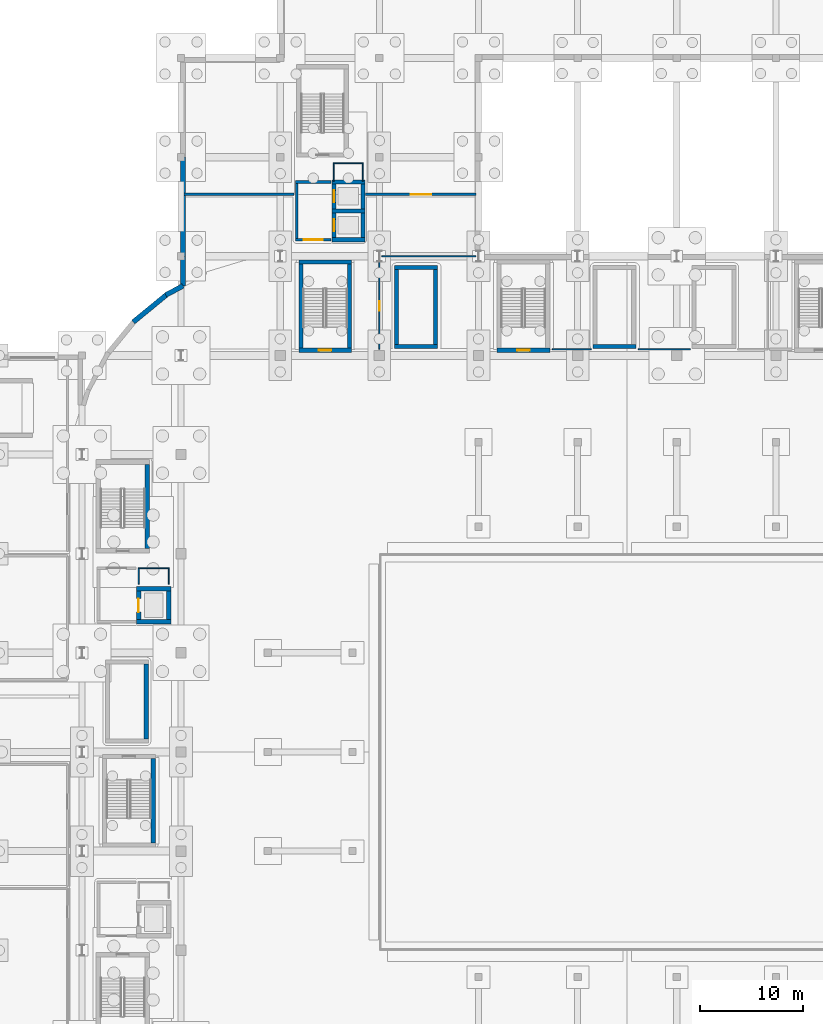
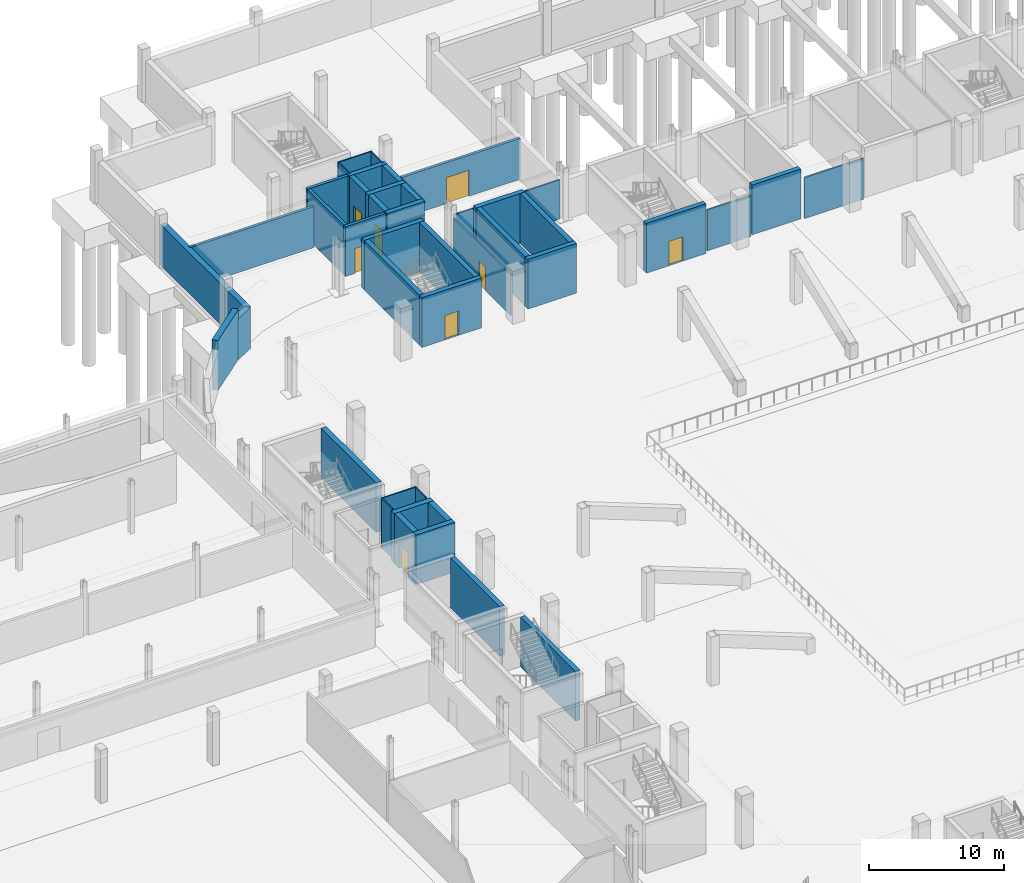
# One storey, part 30 of 67: 43 walls, 8 doors, 8 openings.
"""IFC4 building model written with IfcOpenShell, lengths in metres."""

from ifc_helpers import new_model, si_unit, direction, frame, frame_2d, origin, place, context, subcontext, project, spatial, rectangle, extrude, material, layer, layer_set, type_object, element, fill, save


model = new_model("IFC4")

# Units and contexts
model_context = context("Model", 3, precision=1e-05, world=origin(), true_north=direction((0.0, 1.0)))
body_context = subcontext(model_context, "Body", "Model", "MODEL_VIEW")
ifc_project = project(units=[si_unit("LENGTHUNIT", "METRE"), si_unit("AREAUNIT", "SQUARE_METRE"), si_unit("VOLUMEUNIT", "CUBIC_METRE"), si_unit("PLANEANGLEUNIT", "RADIAN"), si_unit("MASSUNIT", "GRAM", prefix="KILO")], contexts=[model_context])

# Site, building, storey
site_placement = place(None, origin())
site = spatial("IfcSite", under=ifc_project, at=site_placement, CompositionType="ELEMENT")
building_placement = place(site_placement, origin())
building = spatial("IfcBuilding", under=site, at=building_placement, Name="Caelomonte Colonnade Arena", CompositionType="ELEMENT")
storey_placement = place(building_placement, frame((0.0, 0.0, -4.800048828125)))
storey = spatial("IfcBuildingStorey", under=building, at=storey_placement, Name="B1", CompositionType="ELEMENT", Elevation=-4.800048828125)

# Walls
ifc_material_1 = material(Name="Concrete C40/50", Category="concrete")
ifc_layer_1 = layer(ifc_material_1, 0.47998046875)
ifc_layer_set_1 = layer_set([ifc_layer_1], Name="Concrete C40/50")
wall_type_1 = type_object("IfcWallType", Name="ENV-WL-RET48", PredefinedType="USERDEFINED", material=ifc_layer_set_1)
wall_1_placement = place(storey_placement, frame((67.3798828125, 124.800048828125, 0.0), z_axis=(0.0, 0.0, 1.0), x_axis=(0.0, -1.0, 0.0)))
element("IfcWall", 1, at=wall_1_placement, inside=storey, type_object=wall_type_1, Name="B1 exterior retaining plinth wall EW-B1-0063", ObjectType="RETAINING WALL", PredefinedType="USERDEFINED", context=body_context, shape_type="SweptSolid", body=[
    extrude(rectangle(XDim=9.60009765625, YDim=0.47998046875, at=frame_2d((4.800048828125, 0.0))), origin(), (0.0, 0.0, 1.0), 3.699951171875),
])
wall_2_placement = place(storey_placement, frame((67.3798828125, 115.199951171875, 0.0), z_axis=(0.0, 0.0, 1.0), x_axis=(0.0, -1.0, 0.0)))
element("IfcWall", 2, at=wall_2_placement, inside=storey, type_object=wall_type_1, Name="B1 exterior retaining plinth wall EW-B1-0064", ObjectType="RETAINING WALL", PredefinedType="USERDEFINED", context=body_context, shape_type="SweptSolid", body=[
    extrude(rectangle(XDim=2.875, YDim=0.47998046875, at=frame_2d((1.4375, 0.0))), origin(), (0.0, 0.0, 1.0), 3.699951171875),
])
wall_3_placement = place(storey_placement, frame((67.390625, 112.343017578125, 0.0), z_axis=(0.0, 0.0, 1.0), x_axis=(-0.881883861215, -0.47146670649, 0.0)))
element("IfcWall", 3, at=wall_3_placement, inside=storey, type_object=wall_type_1, Name="B1 exterior retaining plinth wall EW-B1-0065", ObjectType="RETAINING WALL", PredefinedType="USERDEFINED", context=body_context, shape_type="SweptSolid", body=[
    extrude(rectangle(XDim=1.903564453125, YDim=0.47998046875, at=frame_2d((0.95166015625, 0.0))), origin(), (0.0, 0.0, 1.0), 3.699951171875),
])
wall_4_placement = place(storey_placement, frame((65.93994140625, 111.597900390625, 0.0), z_axis=(0.0, 0.0, 1.0), x_axis=(-0.772995152907, -0.634411927364, 0.0)))
element("IfcWall", 4, at=wall_4_placement, inside=storey, type_object=wall_type_1, Name="B1 exterior retaining plinth wall EW-B1-0066", ObjectType="RETAINING WALL", PredefinedType="USERDEFINED", context=body_context, shape_type="SweptSolid", body=[
    extrude(rectangle(XDim=4.356689453125, YDim=0.47998046875, at=frame_2d((2.17822265625, 0.0))), origin(), (0.0, 0.0, 1.0), 4.5),
])

# Wall, opening, door
ifc_layer_2 = layer(ifc_material_1, 0.260009765625)
ifc_layer_set_2 = layer_set([ifc_layer_2], Name="Concrete C40/50")
wall_type_2 = type_object("IfcWallType", Name="INT-WL-FW26", PredefinedType="SOLIDWALL", material=ifc_layer_set_2)
wall_5_placement = place(storey_placement, frame((78.27001953125, 116.800048828125, 0.0), z_axis=(0.0, 0.0, 1.0), x_axis=(1.0, 0.0, 0.0)))
wall_5 = element("IfcWall", 5, at=wall_5_placement, inside=storey, type_object=wall_type_2, Name="FW-C7-LB B1 south enclosure wall", PredefinedType="SOLIDWALL", context=body_context, shape_type="SweptSolid", body=[
    extrude(rectangle(XDim=3.4599609375, YDim=0.260009765625, at=frame_2d((1.72998046875, 0.0))), origin(), (0.0, 0.0, 1.0), 4.5),
])
opening_1_placement = place(wall_5_placement, frame((2.655029296875, 0.0, 0.0), z_axis=(0.0, 0.0, 1.0), x_axis=(-1.0, 0.0, 0.0)))
opening_1 = element("IfcOpeningElement", 6, at=opening_1_placement, cuts=wall_5, Name="Opening FD-2", PredefinedType="OPENING", context=body_context, shape_type="SweptSolid", body=[
    extrude(rectangle(XDim=1.85009765625, YDim=2.25, at=frame_2d((0.925048828125, 1.125))), frame((0.0, 0.139892578125, 0.0), z_axis=(0.0, -1.0, 0.0), x_axis=(1.0, 0.0, 0.0)), (0.0, 0.0, 1.0), 0.280029296875),
])
ifc_material_2 = material(Name="Fire-rated double steel door", Category="steel")
door_type_1 = type_object("IfcDoorType", Name="INT-DR-FD90B", OperationType="DOUBLE_DOOR_SINGLE_SWING", PredefinedType="DOOR", material=ifc_material_2)
door_1_placement = place(opening_1_placement, origin())
door_1 = element("IfcDoor", 7, at=door_1_placement, inside=storey, type_object=door_type_1, Name="Core C7 B1 lobby fire door", OperationType="DOUBLE_DOOR_SINGLE_SWING", OverallHeight=2.25, OverallWidth=1.85009765625, PredefinedType="DOOR", context=body_context, shape_type="SweptSolid", body=[
    extrude(rectangle(XDim=1.85009765625, YDim=2.25, at=frame_2d((0.925048828125, 1.125))), frame((0.0, 0.02490234375, 0.0), z_axis=(0.0, -1.0, 0.0), x_axis=(1.0, 0.0, 0.0)), (0.0, 0.0, 1.0), 0.050048828125),
])
fill(opening_1, door_1)

# Walls
wall_6_placement = place(storey_placement, frame((81.72998046875, 122.39990234375, 0.0), z_axis=(0.0, 0.0, 1.0), x_axis=(-1.0, 0.0, 0.0)))
element("IfcWall", 8, at=wall_6_placement, inside=storey, type_object=wall_type_2, Name="FW-C7-LB B1 north enclosure wall", PredefinedType="SOLIDWALL", context=body_context, shape_type="SweptSolid", body=[
    extrude(rectangle(XDim=3.4599609375, YDim=0.260009765625, at=frame_2d((1.72998046875, 0.0))), origin(), (0.0, 0.0, 1.0), 4.5),
])
wall_7_placement = place(storey_placement, frame((78.39990234375, 122.27001953125, 0.0), z_axis=(0.0, 0.0, 1.0), x_axis=(0.0, -1.0, 0.0)))
element("IfcWall", 9, at=wall_7_placement, inside=storey, type_object=wall_type_2, Name="FW-C7-LB B1 west enclosure wall", PredefinedType="SOLIDWALL", context=body_context, shape_type="SweptSolid", body=[
    extrude(rectangle(XDim=5.340087890625, YDim=0.260009765625, at=frame_2d((2.669921875, 0.0))), origin(), (0.0, 0.0, 1.0), 4.5),
])
ifc_material_3 = material(Name="Service shaft lining partition")
ifc_layer_3 = layer(ifc_material_3, 0.10009765625)
ifc_layer_set_3 = layer_set([ifc_layer_3], Name="Service shaft lining partition")
wall_type_3 = type_object("IfcWallType", Name="INT-WL-PT10", PredefinedType="PARTITIONING", material=ifc_layer_set_3)
wall_8_placement = place(storey_placement, frame((66.050048828125, 85.0, 0.0), z_axis=(0.0, 0.0, 1.0), x_axis=(-1.0, 0.0, 0.0)))
element("IfcWall", 10, at=wall_8_placement, inside=storey, type_object=wall_type_3, Name="FW-C4-RS B1 north enclosure wall", PredefinedType="PARTITIONING", context=body_context, shape_type="SweptSolid", body=[
    extrude(rectangle(XDim=3.0, YDim=0.10009765625, at=frame_2d((1.5, 0.0))), origin(), (0.0, 0.0, 1.0), 4.5),
])
for number, where, z_axis, x_axis, name in (
    (11, (63.10009765625, 84.949951171875, 0.0), (0.0, 0.0, 1.0), (0.0, -1.0, 0.0), "FW-C4-RS B1 west enclosure wall"),
    (12, (66.0, 83.449951171875, 0.0), (0.0, 0.0, 1.0), (0.0, 1.0, 0.0), "FW-C4-RS B1 east enclosure wall"),
):
    element("IfcWall", number, at=place(storey_placement, frame(where, z_axis=z_axis, x_axis=x_axis)), inside=storey, type_object=wall_type_3, Name=name, PredefinedType="PARTITIONING", context=body_context, shape_type="SweptSolid", body=[
        extrude(rectangle(XDim=1.5, YDim=0.10009765625, at=frame_2d((0.75, 0.0))), origin(), (0.0, 0.0, 1.0), 4.5),
    ])
wall_9_placement = place(storey_placement, frame((84.85009765625, 124.199951171875, 0.0), z_axis=(0.0, 0.0, 1.0), x_axis=(-1.0, 0.0, 0.0)))
element("IfcWall", 13, at=wall_9_placement, inside=storey, type_object=wall_type_3, Name="FW-C7-RS B1 north enclosure wall", PredefinedType="PARTITIONING", context=body_context, shape_type="SweptSolid", body=[
    extrude(rectangle(XDim=2.900146484375, YDim=0.10009765625, at=frame_2d((1.4501953125, 0.0))), origin(), (0.0, 0.0, 1.0), 4.5),
])
for number, where, z_axis, x_axis, name in (
    (14, (82.0, 124.14990234375, 0.0), (0.0, 0.0, 1.0), (0.0, -1.0, 0.0), "FW-C7-RS B1 west enclosure wall"),
    (15, (84.800048828125, 122.449951171875, 0.0), (0.0, 0.0, 1.0), (0.0, 1.0, 0.0), "FW-C7-RS B1 east enclosure wall"),
):
    element("IfcWall", number, at=place(storey_placement, frame(where, z_axis=z_axis, x_axis=x_axis)), inside=storey, type_object=wall_type_3, Name=name, PredefinedType="PARTITIONING", context=body_context, shape_type="SweptSolid", body=[
        extrude(rectangle(XDim=1.699951171875, YDim=0.10009765625, at=frame_2d((0.85009765625, 0.0))), origin(), (0.0, 0.0, 1.0), 4.5),
    ])
ifc_material_4 = material(Name="Office gypsum stud partition")
ifc_layer_4 = layer(ifc_material_4, 0.1201171875)
ifc_layer_set_4 = layer_set([ifc_layer_4], Name="Office gypsum stud partition")
wall_type_4 = type_object("IfcWallType", Name="INT-WL-PT12", PredefinedType="PARTITIONING", material=ifc_layer_set_4)
wall_10_placement = place(storey_placement, frame((116.5107421875, 106.199951171875, 0.0), z_axis=(0.0, 0.0, 1.0), x_axis=(-1.0, 0.0, 0.0)))
element("IfcWall", 16, at=wall_10_placement, inside=storey, type_object=wall_type_4, Name="B1 Backstage Rigging Staging partition 15", PredefinedType="PARTITIONING", context=body_context, shape_type="SweptSolid", body=[
    extrude(rectangle(XDim=5.021484375, YDim=0.1201171875, at=frame_2d((2.5107421875, 0.0))), origin(), (0.0, 0.0, 1.0), 3.699951171875),
])
wall_11_placement = place(storey_placement, frame((106.91064453125, 106.199951171875, 0.0), z_axis=(0.0, 0.0, 1.0), x_axis=(-1.0, 0.0, 0.0)))
element("IfcWall", 17, at=wall_11_placement, inside=storey, type_object=wall_type_4, Name="B1 Backstage Rigging Staging partition 16", PredefinedType="PARTITIONING", context=body_context, shape_type="SweptSolid", body=[
    extrude(rectangle(XDim=3.7607421875, YDim=0.1201171875, at=frame_2d((1.88037109375, 0.0))), origin(), (0.0, 0.0, 1.0), 3.699951171875),
])

# Wall, opening, door
wall_12_placement = place(storey_placement, frame((86.39990234375, 106.199951171875, 0.0), z_axis=(0.0, 0.0, 1.0), x_axis=(0.0, 1.0, 0.0)))
wall_12 = element("IfcWall", 18, at=wall_12_placement, inside=storey, type_object=wall_type_4, Name="B1 Backstage Rigging Staging partition 17", PredefinedType="PARTITIONING", context=body_context, shape_type="SweptSolid", body=[
    extrude(rectangle(XDim=8.4443359375, YDim=0.1201171875, at=frame_2d((4.22216796875, 0.0))), origin(), (0.0, 0.0, 1.0), 3.699951171875),
])
opening_2_placement = place(wall_12_placement, frame((3.714599609375, 0.0, 0.0), z_axis=(0.0, 0.0, 1.0), x_axis=(1.0, 0.0, 0.0)))
opening_2 = element("IfcOpeningElement", 19, at=opening_2_placement, cuts=wall_12, Name="Opening D-B1-003", PredefinedType="OPENING", context=body_context, shape_type="SweptSolid", body=[
    extrude(rectangle(XDim=0.949951171875, YDim=2.14990234375, at=frame_2d((0.47509765625, 1.074951171875))), frame((0.0, 0.070068359375, 0.0), z_axis=(0.0, -1.0, 0.0), x_axis=(1.0, 0.0, 0.0)), (0.0, 0.0, 1.0), 0.14013671875),
])
ifc_material_5 = material(Name="Solid-core timber office door", Category="wood")
door_type_2 = type_object("IfcDoorType", Name="INT-DR-OFF", OperationType="NOTDEFINED", PredefinedType="DOOR", material=ifc_material_5)
door_2_placement = place(opening_2_placement, origin())
door_2 = element("IfcDoor", 20, at=door_2_placement, inside=storey, type_object=door_type_2, Name="B1 Backstage Rigging Staging door D-B1-003", OperationType="SINGLE_SWING_RIGHT", OverallHeight=2.14990234375, OverallWidth=0.949951171875, PredefinedType="DOOR", context=body_context, shape_type="SweptSolid", body=[
    extrude(rectangle(XDim=0.949951171875, YDim=2.14990234375, at=frame_2d((0.47509765625, 1.074951171875))), frame((0.0, 0.02490234375, 0.0), z_axis=(0.0, -1.0, 0.0), x_axis=(1.0, 0.0, 0.0)), (0.0, 0.0, 1.0), 0.050048828125),
])
fill(opening_2, door_2)

# Wall
wall_13_placement = place(storey_placement, frame((86.6484375, 115.199951171875, 0.0), z_axis=(0.0, 0.0, 1.0), x_axis=(1.0, 0.0, 0.0)))
element("IfcWall", 21, at=wall_13_placement, inside=storey, type_object=wall_type_4, Name="B1 Backstage Rigging Staging partition 18", PredefinedType="PARTITIONING", context=body_context, shape_type="SweptSolid", body=[
    extrude(rectangle(XDim=9.10302734375, YDim=0.1201171875, at=frame_2d((4.551513671875, 0.0))), origin(), (0.0, 0.0, 1.0), 3.572998046875),
])

# Wall, opening, door
ifc_material_6 = material(Name="Acoustic masonry blockwork", Category="masonry")
ifc_layer_5 = layer(ifc_material_6, 0.219970703125)
ifc_layer_set_5 = layer_set([ifc_layer_5], Name="Acoustic masonry blockwork")
wall_type_5 = type_object("IfcWallType", Name="INT-WL-PT22", PredefinedType="PARTITIONING", material=ifc_layer_set_5)
wall_14_placement = place(storey_placement, frame((95.780029296875, 121.199951171875, 0.0), z_axis=(0.0, 0.0, 1.0), x_axis=(-1.0, 0.0, 0.0)))
wall_14 = element("IfcWall", 22, at=wall_14_placement, inside=storey, type_object=wall_type_5, Name="B1 Central Commissary Kitchen partition 40", PredefinedType="PARTITIONING", context=body_context, shape_type="SweptSolid", body=[
    extrude(rectangle(XDim=10.699951171875, YDim=0.219970703125, at=frame_2d((5.35009765625, 0.0))), origin(), (0.0, 0.0, 1.0), 3.699951171875),
])
opening_3_placement = place(wall_14_placement, frame((4.375, 0.0, 0.0), z_axis=(0.0, 0.0, 1.0), x_axis=(1.0, 0.0, 0.0)))
opening_3 = element("IfcOpeningElement", 23, at=opening_3_placement, cuts=wall_14, Name="Opening D-B1-011", PredefinedType="OPENING", context=body_context, shape_type="SweptSolid", body=[
    extrude(rectangle(XDim=1.949951171875, YDim=2.35009765625, at=frame_2d((0.97509765625, 1.175048828125))), frame((0.0, 0.119873046875, 0.0), z_axis=(0.0, -1.0, 0.0), x_axis=(1.0, 0.0, 0.0)), (0.0, 0.0, 1.0), 0.239990234375),
])
ifc_material_7 = material(Name="Double hollow-metal plant room door")
door_type_3 = type_object("IfcDoorType", Name="INT-DR-PLT", OperationType="DOUBLE_DOOR_SINGLE_SWING", PredefinedType="DOOR", material=ifc_material_7)
door_3_placement = place(opening_3_placement, origin())
door_3 = element("IfcDoor", 24, at=door_3_placement, inside=storey, type_object=door_type_3, Name="B1 Central Commissary Kitchen door D-B1-011", OperationType="DOUBLE_DOOR_SINGLE_SWING", OverallHeight=2.35009765625, OverallWidth=1.949951171875, PredefinedType="DOOR", context=body_context, shape_type="SweptSolid", body=[
    extrude(rectangle(XDim=1.949951171875, YDim=2.35009765625, at=frame_2d((0.97509765625, 1.175048828125))), frame((0.0, 0.02490234375, 0.0), z_axis=(0.0, -1.0, 0.0), x_axis=(1.0, 0.0, 0.0)), (0.0, 0.0, 1.0), 0.050048828125),
])
fill(opening_3, door_3)

# Walls
wall_15_placement = place(storey_placement, frame((78.1201171875, 121.199951171875, 0.0), z_axis=(0.0, 0.0, 1.0), x_axis=(-1.0, 0.0, 0.0)))
element("IfcWall", 25, at=wall_15_placement, inside=storey, type_object=wall_type_5, Name="B1 Central Commissary Kitchen partition 41", PredefinedType="PARTITIONING", context=body_context, shape_type="SweptSolid", body=[
    extrude(rectangle(XDim=10.6201171875, YDim=0.219970703125, at=frame_2d((5.31005859375, 0.0))), origin(), (0.0, 0.0, 1.0), 3.699951171875),
])
ifc_material_8 = material(Name="Concrete C50/60", Category="concrete")
ifc_layer_6 = layer(ifc_material_8, 0.39990234375)
ifc_layer_set_6 = layer_set([ifc_layer_6], Name="Concrete C50/60")
wall_type_6 = type_object("IfcWallType", Name="INT-WL-SH40", PredefinedType="SHEAR", material=ifc_layer_set_6)
for number, where, z_axis, x_axis, name in (
    (26, (81.800048828125, 116.800048828125, 0.0), (0.0, 0.0, 1.0), (1.0, 0.0, 0.0), "CW-C7-LF B1 south enclosure wall"),
    (27, (85.0, 119.60009765625, 0.0), (0.0, 0.0, 1.0), (-1.0, 0.0, 0.0), "CW-C7-LF B1 north enclosure wall"),
):
    element("IfcWall", number, at=place(storey_placement, frame(where, z_axis=z_axis, x_axis=x_axis)), inside=storey, type_object=wall_type_6, Name=name, PredefinedType="SHEAR", context=body_context, shape_type="SweptSolid", body=[
        extrude(rectangle(XDim=3.199951171875, YDim=0.39990234375, at=frame_2d((1.60009765625, 0.0))), origin(), (0.0, 0.0, 1.0), 4.5),
    ])

# Wall, opening, door
wall_16_placement = place(storey_placement, frame((82.0, 119.39990234375, 0.0), z_axis=(0.0, 0.0, 1.0), x_axis=(0.0, -1.0, 0.0)))
wall_16 = element("IfcWall", 28, at=wall_16_placement, inside=storey, type_object=wall_type_6, Name="CW-C7-LF B1 west enclosure wall", PredefinedType="SHEAR", context=body_context, shape_type="SweptSolid", body=[
    extrude(rectangle(XDim=2.39990234375, YDim=0.39990234375, at=frame_2d((1.199951171875, 0.0))), origin(), (0.0, 0.0, 1.0), 4.5),
])
opening_4_placement = place(wall_16_placement, frame((0.625, 0.0, 0.0), z_axis=(0.0, 0.0, 1.0), x_axis=(1.0, 0.0, 0.0)))
opening_4 = element("IfcOpeningElement", 29, at=opening_4_placement, cuts=wall_16, Name="Opening LD-LF-05-B1", PredefinedType="OPENING", context=body_context, shape_type="SweptSolid", body=[
    extrude(rectangle(XDim=1.14990234375, YDim=2.199951171875, at=frame_2d((0.574951171875, 1.10009765625))), frame((0.0, 0.2099609375, 0.0), z_axis=(0.0, -1.0, 0.0), x_axis=(1.0, 0.0, 0.0)), (0.0, 0.0, 1.0), 0.419921875),
])
ifc_material_9 = material(Name="Stainless steel lift landing door", Category="steel")
door_type_4 = type_object("IfcDoorType", Name="INT-DR-LD1", OperationType="SLIDING_TO_LEFT", PredefinedType="DOOR", material=ifc_material_9)
door_4_placement = place(opening_4_placement, origin())
door_4 = element("IfcDoor", 30, at=door_4_placement, inside=storey, type_object=door_type_4, Name="Lift LF-05 B1 sliding landing door", OperationType="SLIDING_TO_LEFT", OverallHeight=2.199951171875, OverallWidth=1.14990234375, PredefinedType="DOOR", context=body_context, shape_type="SweptSolid", body=[
    extrude(rectangle(XDim=1.14990234375, YDim=2.199951171875, at=frame_2d((0.574951171875, 1.10009765625))), frame((0.0, 0.02490234375, 0.0), z_axis=(0.0, -1.0, 0.0), x_axis=(1.0, 0.0, 0.0)), (0.0, 0.0, 1.0), 0.050048828125),
])
fill(opening_4, door_4)

# Walls
wall_17_placement = place(storey_placement, frame((84.800048828125, 117.0, 0.0), z_axis=(0.0, 0.0, 1.0), x_axis=(0.0, 1.0, 0.0)))
element("IfcWall", 31, at=wall_17_placement, inside=storey, type_object=wall_type_6, Name="CW-C7-LF B1 east enclosure wall", PredefinedType="SHEAR", context=body_context, shape_type="SweptSolid", body=[
    extrude(rectangle(XDim=2.39990234375, YDim=0.39990234375, at=frame_2d((1.199951171875, 0.0))), origin(), (0.0, 0.0, 1.0), 4.5),
])
wall_18_placement = place(storey_placement, frame((85.0, 122.39990234375, 0.0), z_axis=(0.0, 0.0, 1.0), x_axis=(-1.0, 0.0, 0.0)))
element("IfcWall", 32, at=wall_18_placement, inside=storey, type_object=wall_type_6, Name="CW-C7-LF2 B1 north enclosure wall", PredefinedType="SHEAR", context=body_context, shape_type="SweptSolid", body=[
    extrude(rectangle(XDim=3.199951171875, YDim=0.39990234375, at=frame_2d((1.60009765625, 0.0))), origin(), (0.0, 0.0, 1.0), 4.5),
])

# Wall, opening, door
wall_19_placement = place(storey_placement, frame((82.0, 122.199951171875, 0.0), z_axis=(0.0, 0.0, 1.0), x_axis=(0.0, -1.0, 0.0)))
wall_19 = element("IfcWall", 33, at=wall_19_placement, inside=storey, type_object=wall_type_6, Name="CW-C7-LF2 B1 west enclosure wall", PredefinedType="SHEAR", context=body_context, shape_type="SweptSolid", body=[
    extrude(rectangle(XDim=2.39990234375, YDim=0.39990234375, at=frame_2d((1.199951171875, 0.0))), origin(), (0.0, 0.0, 1.0), 4.5),
])
opening_5_placement = place(wall_19_placement, frame((0.625, 0.0, 0.0), z_axis=(0.0, 0.0, 1.0), x_axis=(1.0, 0.0, 0.0)))
opening_5 = element("IfcOpeningElement", 34, at=opening_5_placement, cuts=wall_19, Name="Opening LD-LF-06-B1", PredefinedType="OPENING", context=body_context, shape_type="SweptSolid", body=[
    extrude(rectangle(XDim=1.14990234375, YDim=2.199951171875, at=frame_2d((0.574951171875, 1.10009765625))), frame((0.0, 0.2099609375, 0.0), z_axis=(0.0, -1.0, 0.0), x_axis=(1.0, 0.0, 0.0)), (0.0, 0.0, 1.0), 0.419921875),
])
door_5_placement = place(opening_5_placement, origin())
door_5 = element("IfcDoor", 35, at=door_5_placement, inside=storey, type_object=door_type_4, Name="Lift LF-06 B1 sliding landing door", OperationType="SLIDING_TO_LEFT", OverallHeight=2.199951171875, OverallWidth=1.14990234375, PredefinedType="DOOR", context=body_context, shape_type="SweptSolid", body=[
    extrude(rectangle(XDim=1.14990234375, YDim=2.199951171875, at=frame_2d((0.574951171875, 1.10009765625))), frame((0.0, 0.02490234375, 0.0), z_axis=(0.0, -1.0, 0.0), x_axis=(1.0, 0.0, 0.0)), (0.0, 0.0, 1.0), 0.050048828125),
])
fill(opening_5, door_5)

# Walls
wall_20_placement = place(storey_placement, frame((84.800048828125, 119.800048828125, 0.0), z_axis=(0.0, 0.0, 1.0), x_axis=(0.0, 1.0, 0.0)))
element("IfcWall", 36, at=wall_20_placement, inside=storey, type_object=wall_type_6, Name="CW-C7-LF2 B1 east enclosure wall", PredefinedType="SHEAR", context=body_context, shape_type="SweptSolid", body=[
    extrude(rectangle(XDim=2.39990234375, YDim=0.39990234375, at=frame_2d((1.199951171875, 0.0))), origin(), (0.0, 0.0, 1.0), 4.5),
])
wall_21_placement = place(storey_placement, frame((64.5, 58.39990234375, 0.0), z_axis=(0.0, 0.0, 1.0), x_axis=(0.0, 1.0, 0.0)))
element("IfcWall", 37, at=wall_21_placement, inside=storey, type_object=wall_type_6, Name="CW-ST-09 B1 east enclosure wall", PredefinedType="SHEAR", context=body_context, shape_type="SweptSolid", body=[
    extrude(rectangle(XDim=8.150146484375, YDim=0.39990234375, at=frame_2d((4.0751953125, 0.0))), origin(), (0.0, 0.0, 1.0), 4.5),
])

# Wall, opening, door
wall_22_placement = place(storey_placement, frame((78.60009765625, 106.10009765625, 0.0), z_axis=(0.0, 0.0, 1.0), x_axis=(1.0, 0.0, 0.0)))
wall_22 = element("IfcWall", 38, at=wall_22_placement, inside=storey, type_object=wall_type_6, Name="CW-ST-14 B1 south enclosure wall", PredefinedType="SHEAR", context=body_context, shape_type="SweptSolid", body=[
    extrude(rectangle(XDim=5.099853515625, YDim=0.39990234375, at=frame_2d((2.5498046875, 0.0))), origin(), (0.0, 0.0, 1.0), 4.5),
])
opening_6_placement = place(wall_22_placement, frame((3.14990234375, 0.0, 0.0), z_axis=(0.0, 0.0, 1.0), x_axis=(-1.0, 0.0, 0.0)))
opening_6 = element("IfcOpeningElement", 39, at=opening_6_placement, cuts=wall_22, Name="Opening FD-1", PredefinedType="OPENING", context=body_context, shape_type="SweptSolid", body=[
    extrude(rectangle(XDim=1.199951171875, YDim=2.199951171875, at=frame_2d((0.60009765625, 1.10009765625))), frame((0.0, 0.2099609375, 0.0), z_axis=(0.0, -1.0, 0.0), x_axis=(1.0, 0.0, 0.0)), (0.0, 0.0, 1.0), 0.419921875),
])
ifc_material_10 = material(Name="Fire-rated steel door", Category="steel")
door_type_5 = type_object("IfcDoorType", Name="INT-DR-FD90A", OperationType="NOTDEFINED", PredefinedType="DOOR", material=ifc_material_10)
door_6_placement = place(opening_6_placement, origin())
door_6 = element("IfcDoor", 40, at=door_6_placement, inside=storey, type_object=door_type_5, Name="Protected exit stair ST-14 B1 fire door", OperationType="SINGLE_SWING_LEFT", OverallHeight=2.199951171875, OverallWidth=1.199951171875, PredefinedType="DOOR", context=body_context, shape_type="SweptSolid", body=[
    extrude(rectangle(XDim=1.199951171875, YDim=2.199951171875, at=frame_2d((0.60009765625, 1.10009765625))), frame((0.0, 0.02490234375, 0.0), z_axis=(0.0, -1.0, 0.0), x_axis=(1.0, 0.0, 0.0)), (0.0, 0.0, 1.0), 0.050048828125),
])
fill(opening_6, door_6)

# Walls
wall_23_placement = place(storey_placement, frame((83.699951171875, 114.64990234375, 0.0), z_axis=(0.0, 0.0, 1.0), x_axis=(-1.0, 0.0, 0.0)))
element("IfcWall", 41, at=wall_23_placement, inside=storey, type_object=wall_type_6, Name="CW-ST-14 B1 north enclosure wall", PredefinedType="SHEAR", context=body_context, shape_type="SweptSolid", body=[
    extrude(rectangle(XDim=5.099853515625, YDim=0.39990234375, at=frame_2d((2.5498046875, 0.0))), origin(), (0.0, 0.0, 1.0), 4.5),
])
for number, where, z_axis, x_axis, name in (
    (42, (78.800048828125, 114.449951171875, 0.0), (0.0, 0.0, 1.0), (0.0, -1.0, 0.0), "CW-ST-14 B1 west enclosure wall"),
    (43, (83.5, 106.300048828125, 0.0), (0.0, 0.0, 1.0), (0.0, 1.0, 0.0), "CW-ST-14 B1 east enclosure wall"),
):
    element("IfcWall", number, at=place(storey_placement, frame(where, z_axis=z_axis, x_axis=x_axis)), inside=storey, type_object=wall_type_6, Name=name, PredefinedType="SHEAR", context=body_context, shape_type="SweptSolid", body=[
        extrude(rectangle(XDim=8.14990234375, YDim=0.39990234375, at=frame_2d((4.074951171875, 0.0))), origin(), (0.0, 0.0, 1.0), 4.5),
    ])

# Wall, opening, door
wall_24_placement = place(storey_placement, frame((97.800048828125, 106.10009765625, 0.0), z_axis=(0.0, 0.0, 1.0), x_axis=(1.0, 0.0, 0.0)))
wall_24 = element("IfcWall", 44, at=wall_24_placement, inside=storey, type_object=wall_type_6, Name="CW-ST-15 B1 south enclosure wall", PredefinedType="SHEAR", context=body_context, shape_type="SweptSolid", body=[
    extrude(rectangle(XDim=5.099853515625, YDim=0.39990234375, at=frame_2d((2.5498046875, 0.0))), origin(), (0.0, 0.0, 1.0), 4.5),
])
opening_7_placement = place(wall_24_placement, frame((3.14990234375, 0.0, 0.0), z_axis=(0.0, 0.0, 1.0), x_axis=(-1.0, 0.0, 0.0)))
opening_7 = element("IfcOpeningElement", 45, at=opening_7_placement, cuts=wall_24, Name="Opening FD-1", PredefinedType="OPENING", context=body_context, shape_type="SweptSolid", body=[
    extrude(rectangle(XDim=1.199951171875, YDim=2.199951171875, at=frame_2d((0.60009765625, 1.10009765625))), frame((0.0, 0.2099609375, 0.0), z_axis=(0.0, -1.0, 0.0), x_axis=(1.0, 0.0, 0.0)), (0.0, 0.0, 1.0), 0.419921875),
])
door_7_placement = place(opening_7_placement, origin())
door_7 = element("IfcDoor", 46, at=door_7_placement, inside=storey, type_object=door_type_5, Name="Protected exit stair ST-15 B1 fire door", OperationType="SINGLE_SWING_RIGHT", OverallHeight=2.199951171875, OverallWidth=1.199951171875, PredefinedType="DOOR", context=body_context, shape_type="SweptSolid", body=[
    extrude(rectangle(XDim=1.199951171875, YDim=2.199951171875, at=frame_2d((0.60009765625, 1.10009765625))), frame((0.0, 0.02490234375, 0.0), z_axis=(0.0, -1.0, 0.0), x_axis=(1.0, 0.0, 0.0)), (0.0, 0.0, 1.0), 0.050048828125),
])
fill(opening_7, door_7)

# Walls
for number, where, z_axis, x_axis, name in (
    (47, (87.8701171875, 106.469970703125, 0.0), (0.0, 0.0, 1.0), (1.0, 0.0, 0.0), "CW-ST-V05 B1 south enclosure wall"),
    (48, (92.030029296875, 114.1298828125, 0.0), (0.0, 0.0, 1.0), (-1.0, 0.0, 0.0), "CW-ST-V05 B1 north enclosure wall"),
):
    element("IfcWall", number, at=place(storey_placement, frame(where, z_axis=z_axis, x_axis=x_axis)), inside=storey, type_object=wall_type_6, Name=name, PredefinedType="SHEAR", context=body_context, shape_type="SweptSolid", body=[
        extrude(rectangle(XDim=4.159912109375, YDim=0.39990234375, at=frame_2d((2.080078125, 0.0))), origin(), (0.0, 0.0, 1.0), 4.5),
    ])
for number, where, z_axis, x_axis, name in (
    (49, (88.070068359375, 113.929931640625, 0.0), (0.0, 0.0, 1.0), (0.0, -1.0, 0.0), "CW-ST-V05 B1 west enclosure wall"),
    (50, (91.830078125, 106.669921875, 0.0), (0.0, 0.0, 1.0), (0.0, 1.0, 0.0), "CW-ST-V05 B1 east enclosure wall"),
):
    element("IfcWall", number, at=place(storey_placement, frame(where, z_axis=z_axis, x_axis=x_axis)), inside=storey, type_object=wall_type_6, Name=name, PredefinedType="SHEAR", context=body_context, shape_type="SweptSolid", body=[
        extrude(rectangle(XDim=7.260009765625, YDim=0.39990234375, at=frame_2d((3.6298828125, 0.0))), origin(), (0.0, 0.0, 1.0), 4.5),
    ])
wall_25_placement = place(storey_placement, frame((107.070068359375, 106.469970703125, 0.0), z_axis=(0.0, 0.0, 1.0), x_axis=(1.0, 0.0, 0.0)))
element("IfcWall", 51, at=wall_25_placement, inside=storey, type_object=wall_type_6, Name="CW-ST-V06 B1 south enclosure wall", PredefinedType="SHEAR", context=body_context, shape_type="SweptSolid", body=[
    extrude(rectangle(XDim=4.159912109375, YDim=0.39990234375, at=frame_2d((2.080078125, 0.0))), origin(), (0.0, 0.0, 1.0), 4.5),
])
wall_26_placement = place(storey_placement, frame((63.830078125, 68.469970703125, 0.0), z_axis=(0.0, 0.0, 1.0), x_axis=(0.0, 1.0, 0.0)))
element("IfcWall", 52, at=wall_26_placement, inside=storey, type_object=wall_type_6, Name="CW-ST-V07 B1 east enclosure wall", PredefinedType="SHEAR", context=body_context, shape_type="SweptSolid", body=[
    extrude(rectangle(XDim=7.260009765625, YDim=0.39990234375, at=frame_2d((3.6298828125, 0.0))), origin(), (0.0, 0.0, 1.0), 4.5),
])
ifc_layer_7 = layer(ifc_material_8, 0.449951171875)
ifc_layer_set_7 = layer_set([ifc_layer_7], Name="Concrete C50/60")
wall_type_7 = type_object("IfcWallType", Name="INT-WL-SH45", PredefinedType="SHEAR", material=ifc_layer_set_7)
wall_27_placement = place(storey_placement, frame((63.925048828125, 86.89990234375, 0.0), z_axis=(0.0, 0.0, 1.0), x_axis=(0.0, 1.0, 0.0)))
element("IfcWall", 53, at=wall_27_placement, inside=storey, type_object=wall_type_7, Name="CW-C4-ST B1 east enclosure wall", PredefinedType="SHEAR", context=body_context, shape_type="SweptSolid", body=[
    extrude(rectangle(XDim=8.150146484375, YDim=0.449951171875, at=frame_2d((4.0751953125, 0.0))), origin(), (0.0, 0.0, 1.0), 4.5),
])
for number, where, z_axis, x_axis, name in (
    (54, (62.875, 79.800048828125, 0.0), (0.0, 0.0, 1.0), (1.0, 0.0, 0.0), "CW-C4-LF B1 south enclosure wall"),
    (55, (66.22509765625, 83.0, 0.0), (0.0, 0.0, 1.0), (-1.0, 0.0, 0.0), "CW-C4-LF B1 north enclosure wall"),
):
    element("IfcWall", number, at=place(storey_placement, frame(where, z_axis=z_axis, x_axis=x_axis)), inside=storey, type_object=wall_type_7, Name=name, PredefinedType="SHEAR", context=body_context, shape_type="SweptSolid", body=[
        extrude(rectangle(XDim=3.35009765625, YDim=0.449951171875, at=frame_2d((1.675048828125, 0.0))), origin(), (0.0, 0.0, 1.0), 4.5),
    ])

# Wall, opening, door
wall_28_placement = place(storey_placement, frame((63.10009765625, 82.77490234375, 0.0), z_axis=(0.0, 0.0, 1.0), x_axis=(0.0, -1.0, 0.0)))
wall_28 = element("IfcWall", 56, at=wall_28_placement, inside=storey, type_object=wall_type_7, Name="CW-C4-LF B1 west enclosure wall", PredefinedType="SHEAR", context=body_context, shape_type="SweptSolid", body=[
    extrude(rectangle(XDim=2.75, YDim=0.449951171875, at=frame_2d((1.375, 0.0))), origin(), (0.0, 0.0, 1.0), 4.5),
])
opening_8_placement = place(wall_28_placement, frame((0.72509765625, 0.0, 0.0), z_axis=(0.0, 0.0, 1.0), x_axis=(1.0, 0.0, 0.0)))
opening_8 = element("IfcOpeningElement", 57, at=opening_8_placement, cuts=wall_28, Name="Opening LD-FL-04-B1", PredefinedType="OPENING", context=body_context, shape_type="SweptSolid", body=[
    extrude(rectangle(XDim=1.300048828125, YDim=2.25, at=frame_2d((0.64990234375, 1.125))), frame((0.0, 0.23486328125, 0.0), z_axis=(0.0, -1.0, 0.0), x_axis=(1.0, 0.0, 0.0)), (0.0, 0.0, 1.0), 0.469970703125),
])
ifc_material_11 = material(Name="Firefighting lift landing door")
door_type_6 = type_object("IfcDoorType", Name="INT-DR-LD2", OperationType="SLIDING_TO_RIGHT", PredefinedType="DOOR", material=ifc_material_11)
door_8_placement = place(opening_8_placement, origin())
door_8 = element("IfcDoor", 58, at=door_8_placement, inside=storey, type_object=door_type_6, Name="Lift FL-04 B1 sliding landing door", OperationType="SLIDING_TO_RIGHT", OverallHeight=2.25, OverallWidth=1.300048828125, PredefinedType="DOOR", context=body_context, shape_type="SweptSolid", body=[
    extrude(rectangle(XDim=1.300048828125, YDim=2.25, at=frame_2d((0.64990234375, 1.125))), frame((0.0, 0.02490234375, 0.0), z_axis=(0.0, -1.0, 0.0), x_axis=(1.0, 0.0, 0.0)), (0.0, 0.0, 1.0), 0.050048828125),
])
fill(opening_8, door_8)

# Wall
wall_29_placement = place(storey_placement, frame((66.0, 80.02490234375, 0.0), z_axis=(0.0, 0.0, 1.0), x_axis=(0.0, 1.0, 0.0)))
element("IfcWall", 59, at=wall_29_placement, inside=storey, type_object=wall_type_7, Name="CW-C4-LF B1 east enclosure wall", PredefinedType="SHEAR", context=body_context, shape_type="SweptSolid", body=[
    extrude(rectangle(XDim=2.75, YDim=0.449951171875, at=frame_2d((1.375, 0.0))), origin(), (0.0, 0.0, 1.0), 4.5),
])

save(model, "model.ifc")
